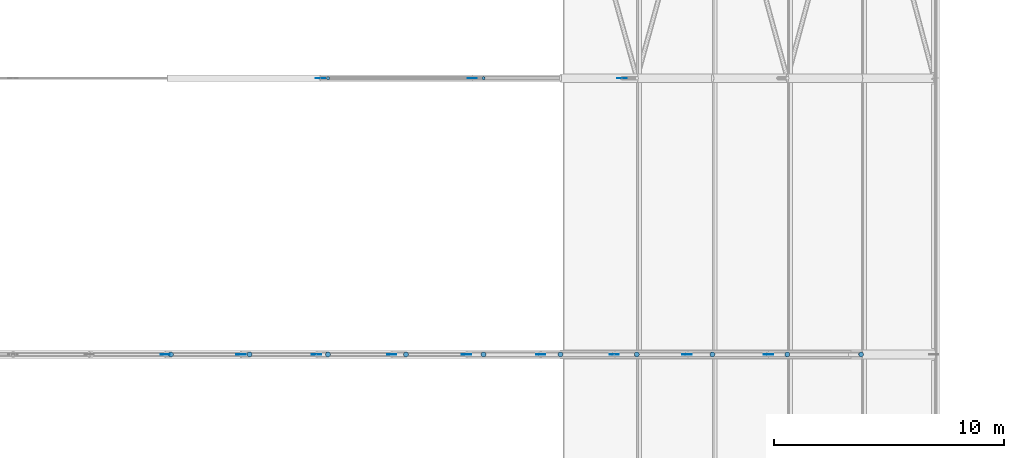
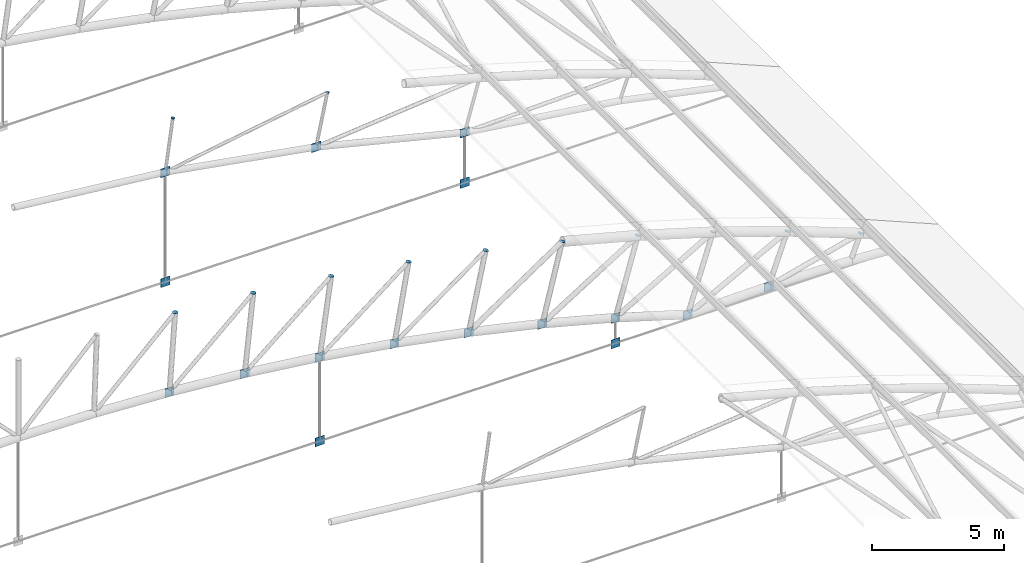
# One storey, part 269 of 321: 28 discrete accessories.
"""IFC4 building model written with IfcOpenShell, lengths in metres."""

from ifc_helpers import new_model, si_unit, direction, frame, origin, origin_2d, place, context, subcontext, project, spatial, rectangle, circle, extrude, material, material_profile, profile_set, type_object, element, save


model = new_model("IFC4")

# Units and contexts
model_context = context("Model", 3, precision=1e-05, world=origin(), true_north=direction((0.0, 1.0)))
body_context = subcontext(model_context, "Body", "Model", "MODEL_VIEW")
ifc_project = project(units=[si_unit("LENGTHUNIT", "METRE"), si_unit("AREAUNIT", "SQUARE_METRE"), si_unit("VOLUMEUNIT", "CUBIC_METRE"), si_unit("PLANEANGLEUNIT", "RADIAN"), si_unit("MASSUNIT", "GRAM", prefix="KILO")], contexts=[model_context])

# Site, building, storey
site_placement = place(None, origin())
site = spatial("IfcSite", under=ifc_project, at=site_placement, CompositionType="ELEMENT")
building_placement = place(site_placement, origin())
building = spatial("IfcBuilding", under=site, at=building_placement, Name="Ravi Spectrum Wholesale Market", CompositionType="ELEMENT")
storey_placement = place(building_placement, frame((0.0, 0.0, 10.800048828125)))
storey = spatial("IfcBuildingStorey", under=building, at=storey_placement, Name="L02", CompositionType="ELEMENT", Elevation=10.800048828125)

# Discrete accessories
ifc_material_1 = material(Name="Steel S355", Category="steel")
ifc_material_profile_1 = material_profile(ifc_material_1, circle(Radius=0.06982421875, at=origin_2d()))
ifc_profile_set_1 = profile_set([ifc_material_profile_1], Name="Steel S355")
discrete_accessory_type_1 = type_object("IfcDiscreteAccessoryType", Name="End plate CHS 139.7x5", PredefinedType="BRACKET", material=ifc_profile_set_1)
for number, where, z_axis, x_axis, name in (
    (1, (83.681884765625, 66.0, 7.479736328125), (0.141421356237, 0.0, 0.989949493661), (0.0, 1.0, 0.0), "End plate"),
    (2, (90.44140625, 66.0, 6.30224609375), (0.203954254112, 0.0, 0.978980419738), (0.0, 1.0, 0.0), "End plate"),
):
    element("IfcDiscreteAccessory", number, at=place(storey_placement, frame(where, z_axis=z_axis, x_axis=x_axis)), inside=storey, type_object=discrete_accessory_type_1, Name=name, PredefinedType="BRACKET", context=body_context, shape_type="SweptSolid", body=[
        extrude(circle(Radius=0.06982421875, at=origin_2d()), origin(), (0.0, 0.0, 1.0), 0.011962890625),
    ])
ifc_material_2 = material(Name="Steel S355", Category="steel")
ifc_material_profile_2 = material_profile(ifc_material_2, circle(Radius=0.109619140625, at=origin_2d()))
ifc_profile_set_2 = profile_set([ifc_material_profile_2], Name="Steel S355")
discrete_accessory_type_2 = type_object("IfcDiscreteAccessoryType", Name="End plate CHS 219.1x8", PredefinedType="BRACKET", material=ifc_profile_set_2)
for number, where, z_axis, x_axis, name in (
    (3, (76.85546875, 54.0, 8.163330078125), (0.081362009455, 0.0, 0.996684615823), (0.0, 1.0, 0.0), "End plate"),
    (4, (80.273193359375, 54.0, 7.867919921875), (0.101513688013, 0.0, 0.994834142531), (0.0, 1.0, 0.0), "End plate"),
    (5, (83.678466796875, 54.0, 7.45458984375), (0.141421356237, 0.0, 0.989949493661), (0.0, 1.0, 0.0), "End plate"),
    (6, (87.0673828125, 54.0, 6.92431640625), (0.18428853505, 0.0, 0.982872186934), (0.0, 1.0, 0.0), "End plate"),
    (7, (90.436279296875, 54.0, 6.27734375), (0.203954254112, 0.0, 0.978980419738), (0.0, 1.0, 0.0), "End plate"),
    (8, (93.78076171875, 54.0, 5.514404296875), (0.223376156329, 0.0, 0.974732318528), (0.0, 1.0, 0.0), "End plate"),
):
    element("IfcDiscreteAccessory", number, at=place(storey_placement, frame(where, z_axis=z_axis, x_axis=x_axis)), inside=storey, type_object=discrete_accessory_type_2, Name=name, PredefinedType="BRACKET", context=body_context, shape_type="SweptSolid", body=[
        extrude(circle(Radius=0.109619140625, at=origin_2d()), origin(), (0.0, 0.0, 1.0), 0.011962890625),
    ])
discrete_accessory_1_placement = place(storey_placement, frame((97.096923828125, 54.0, 4.63671875), z_axis=(0.261415475728, 0.0, 0.96522637192), x_axis=(0.0, 1.0, 0.0)))
element("IfcDiscreteAccessory", 9, at=discrete_accessory_1_placement, inside=storey, type_object=discrete_accessory_type_2, Name="End plate", PredefinedType="BRACKET", context=body_context, shape_type="SweptSolid", body=[
    extrude(circle(Radius=0.109619140625, at=origin_2d()), origin(), (0.0, 0.0, 1.0), 0.01220703125),
])
for number, where, z_axis, x_axis, name in (
    (10, (100.380615234375, 54.0, 3.645263671875), (0.304040173793, 0.0, 0.952659211219), (0.0, 1.0, 0.0), "End plate"),
    (11, (103.62841796875, 54.0, 2.541015625), (0.346650140872, 0.0, 0.937994498829), (0.0, 1.0, 0.0), "End plate"),
    (12, (106.836181640625, 54.0, 1.325439453125), (0.364399348581, 0.0, 0.931242779706), (0.0, 1.0, 0.0), "End plate"),
):
    element("IfcDiscreteAccessory", number, at=place(storey_placement, frame(where, z_axis=z_axis, x_axis=x_axis)), inside=storey, type_object=discrete_accessory_type_2, Name=name, PredefinedType="BRACKET", context=body_context, shape_type="SweptSolid", body=[
        extrude(circle(Radius=0.109619140625, at=origin_2d()), origin(), (0.0, 0.0, 1.0), 0.011962890625),
    ])
ifc_material_3 = material(Name="Steel S355", Category="steel")
ifc_material_profile_3 = material_profile(ifc_material_3, rectangle(XDim=0.39990234375, YDim=0.02001953125, at=origin_2d()))
ifc_profile_set_3 = profile_set([ifc_material_profile_3], Name="Steel S355")
discrete_accessory_type_3 = type_object("IfcDiscreteAccessoryType", Name="Gusset plate 400x400x20", PredefinedType="BRACKET", material=ifc_profile_set_3)
discrete_accessory_2_placement = place(storey_placement, frame((76.607421875, 54.0, 4.371826171875), z_axis=(0.0, 0.0, 1.0), x_axis=(-1.0, 0.0, 0.0)))
element("IfcDiscreteAccessory", 13, at=discrete_accessory_2_placement, inside=storey, type_object=discrete_accessory_type_3, Name="Gusset plate", PredefinedType="BRACKET", context=body_context, shape_type="SweptSolid", body=[
    extrude(rectangle(XDim=0.39990234375, YDim=0.02001953125, at=origin_2d()), origin(), (0.0, 0.0, 1.0), 0.400146484375),
])
for number, where, z_axis, x_axis, name in (
    (14, (79.901123046875, 54.0, 4.087158203125), (0.0, 0.0, 1.0), (-1.0, 0.0, 0.0), "Gusset plate"),
    (15, (83.18310546875, 54.0, -0.199951171875), (0.0, 0.0, 1.0), (1.0, 0.0, 0.0), "Gusset plate"),
    (16, (83.18310546875, 54.0, 3.68896484375), (0.0, 0.0, 1.0), (-1.0, 0.0, 0.0), "Gusset plate"),
    (17, (83.351806640625, 66.0, -0.1767578125), (0.0, 0.0, 1.0), (1.0, 0.0, 0.0), "Gusset plate"),
):
    element("IfcDiscreteAccessory", number, at=place(storey_placement, frame(where, z_axis=z_axis, x_axis=x_axis)), inside=storey, type_object=discrete_accessory_type_3, Name=name, PredefinedType="BRACKET", context=body_context, shape_type="SweptSolid", body=[
        extrude(rectangle(XDim=0.39990234375, YDim=0.02001953125, at=origin_2d()), origin(), (0.0, 0.0, 1.0), 0.39990234375),
    ])
discrete_accessory_3_placement = place(storey_placement, frame((83.351806640625, 66.0, 4.902587890625), z_axis=(0.0, 0.0, 1.0), x_axis=(-1.0, 0.0, 0.0)))
element("IfcDiscreteAccessory", 18, at=discrete_accessory_3_placement, inside=storey, type_object=discrete_accessory_type_3, Name="Gusset plate", PredefinedType="BRACKET", context=body_context, shape_type="SweptSolid", body=[
    extrude(rectangle(XDim=0.39990234375, YDim=0.02001953125, at=origin_2d()), origin(), (0.0, 0.0, 1.0), 0.400146484375),
])
for number, where, z_axis, x_axis, name in (
    (19, (86.44970703125, 54.0, 3.177734375), (0.0, 0.0, 1.0), (-1.0, 0.0, 0.0), "Gusset plate"),
    (20, (89.6962890625, 54.0, 2.55419921875), (0.0, 0.0, 1.0), (-1.0, 0.0, 0.0), "Gusset plate"),
    (21, (89.9482421875, 66.0, 3.75341796875), (0.0, 0.0, 1.0), (-1.0, 0.0, 0.0), "Gusset plate"),
    (22, (92.919677734375, 54.0, 1.819091796875), (0.0, 0.0, 1.0), (-1.0, 0.0, 0.0), "Gusset plate"),
    (23, (96.11572265625, 54.0, -0.199951171875), (0.0, 0.0, 1.0), (1.0, 0.0, 0.0), "Gusset plate"),
    (24, (96.11572265625, 54.0, 0.97314453125), (0.0, 0.0, 1.0), (-1.0, 0.0, 0.0), "Gusset plate"),
    (25, (96.44970703125, 66.0, -0.1767578125), (0.0, 0.0, 1.0), (1.0, 0.0, 0.0), "Gusset plate"),
    (26, (96.44970703125, 66.0, 2.152099609375), (0.0, 0.0, 1.0), (-1.0, 0.0, 0.0), "Gusset plate"),
):
    element("IfcDiscreteAccessory", number, at=place(storey_placement, frame(where, z_axis=z_axis, x_axis=x_axis)), inside=storey, type_object=discrete_accessory_type_3, Name=name, PredefinedType="BRACKET", context=body_context, shape_type="SweptSolid", body=[
        extrude(rectangle(XDim=0.39990234375, YDim=0.02001953125, at=origin_2d()), origin(), (0.0, 0.0, 1.0), 0.39990234375),
    ])
discrete_accessory_4_placement = place(storey_placement, frame((99.28076171875, 54.0, 0.017333984375), z_axis=(0.0, 0.0, 1.0), x_axis=(-1.0, 0.0, 0.0)))
element("IfcDiscreteAccessory", 27, at=discrete_accessory_4_placement, inside=storey, type_object=discrete_accessory_type_3, Name="Gusset plate", PredefinedType="BRACKET", context=body_context, shape_type="SweptSolid", body=[
    extrude(rectangle(XDim=0.39990234375, YDim=0.02001953125, at=origin_2d()), origin(), (0.0, 0.0, 1.0), 0.400146484375),
])
discrete_accessory_5_placement = place(storey_placement, frame((102.81689453125, 54.0, 0.08251953125), z_axis=(0.0, 0.0, 1.0), x_axis=(-1.0, 0.0, 0.0)))
element("IfcDiscreteAccessory", 28, at=discrete_accessory_5_placement, inside=storey, type_object=discrete_accessory_type_3, Name="Gusset plate", PredefinedType="BRACKET", context=body_context, shape_type="SweptSolid", body=[
    extrude(rectangle(XDim=0.39990234375, YDim=0.02001953125, at=origin_2d()), origin(), (0.0, 0.0, 1.0), 0.39990234375),
])

save(model, "model.ifc")
